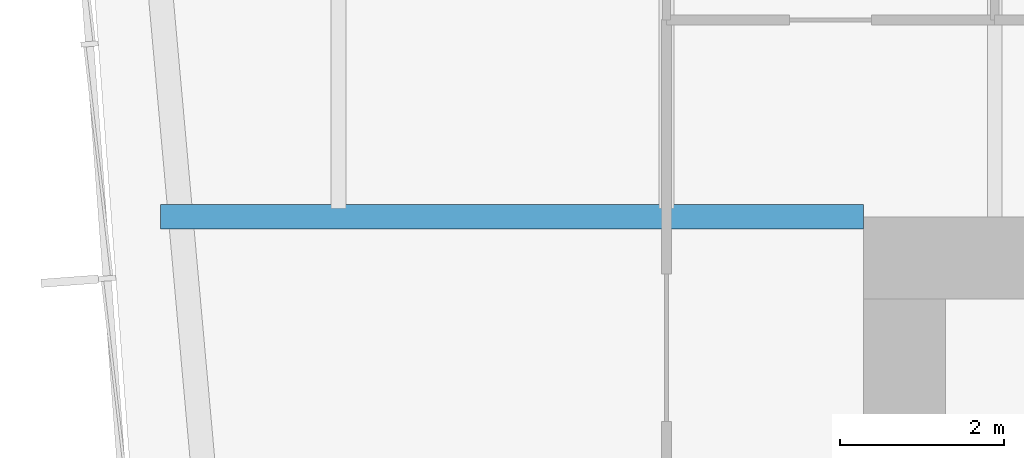
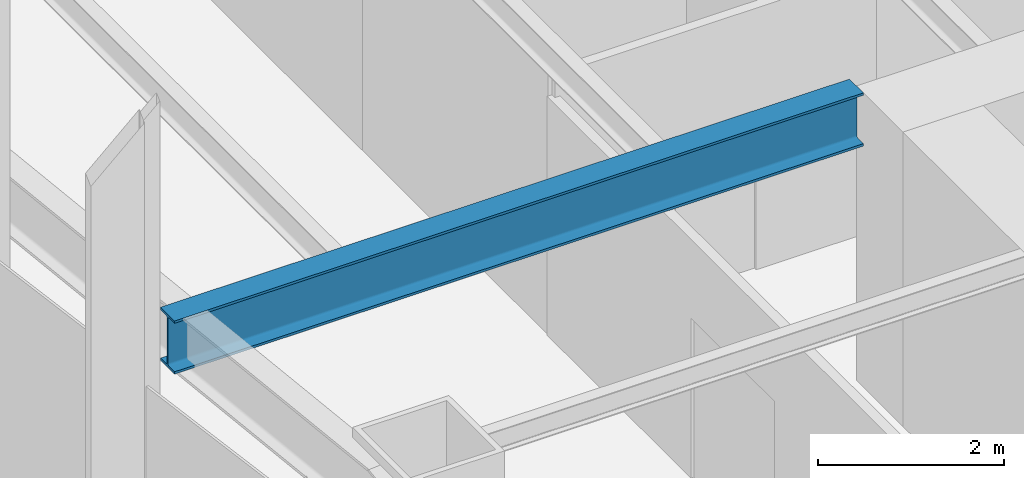
# One storey, part 3 of 13: 1 beam.
"""IFC4 building model written with IfcOpenShell, lengths in metres."""

from ifc_helpers import new_model, si_unit, direction, frame, origin, origin_2d, place, context, subcontext, project, spatial, i_section, extrude, material, material_profile, profile_set, type_object, element, save


model = new_model("IFC4")

# Units and contexts
model_context = context("Model", 3, precision=1e-05, world=origin(), true_north=direction((0.0, 1.0)))
body_context = subcontext(model_context, "Body", "Model", "MODEL_VIEW")
ifc_project = project(units=[si_unit("LENGTHUNIT", "METRE"), si_unit("AREAUNIT", "SQUARE_METRE"), si_unit("VOLUMEUNIT", "CUBIC_METRE"), si_unit("PLANEANGLEUNIT", "RADIAN"), si_unit("MASSUNIT", "GRAM", prefix="KILO")], contexts=[model_context])

# Site, building, storey
site_placement = place(None, origin())
site = spatial("IfcSite", under=ifc_project, at=site_placement, CompositionType="ELEMENT")
building_placement = place(site_placement, origin())
building = spatial("IfcBuilding", under=site, at=building_placement, Name="Verdant Reach Tower", CompositionType="ELEMENT")
storey_placement = place(building_placement, frame((0.0, 0.0, 138.0)))
storey = spatial("IfcBuildingStorey", under=building, at=storey_placement, Name="L31", CompositionType="ELEMENT", Elevation=138.0)

# Beam
ifc_material = material(Name="Steel S355", Category="steel")
ifc_material_profile = material_profile(ifc_material, i_section(OverallWidth=0.300048828125, OverallDepth=0.699951171875, WebThickness=0.01708984375, FlangeThickness=0.031982421875, FilletRadius=0.027099609375, at=origin_2d()), Name="HEB 700")
ifc_profile_set = profile_set([ifc_material_profile], Name="Steel S355")
beam_type = type_object("IfcBeamType", Name="ST-BEAM-HEB700", PredefinedType="BEAM", material=ifc_profile_set)
beam_placement = place(storey_placement, frame((-13.60009765625, 38.60009765625, 3.52001953125), z_axis=(-1.0, 0.0, 0.0), x_axis=(0.0, -1.0, 0.0)))
element("IfcBeam", 1, at=beam_placement, inside=storey, type_object=beam_type, Name="Trimmer beam, L31", PredefinedType="BEAM", context=body_context, shape_type="SweptSolid", body=[
    extrude(i_section(OverallWidth=0.300048828125, OverallDepth=0.699951171875, WebThickness=0.01708984375, FlangeThickness=0.031982421875, FilletRadius=0.027099609375, at=origin_2d()), origin(), (0.0, 0.0, 1.0), 8.568115234375),
])

save(model, "model.ifc")
